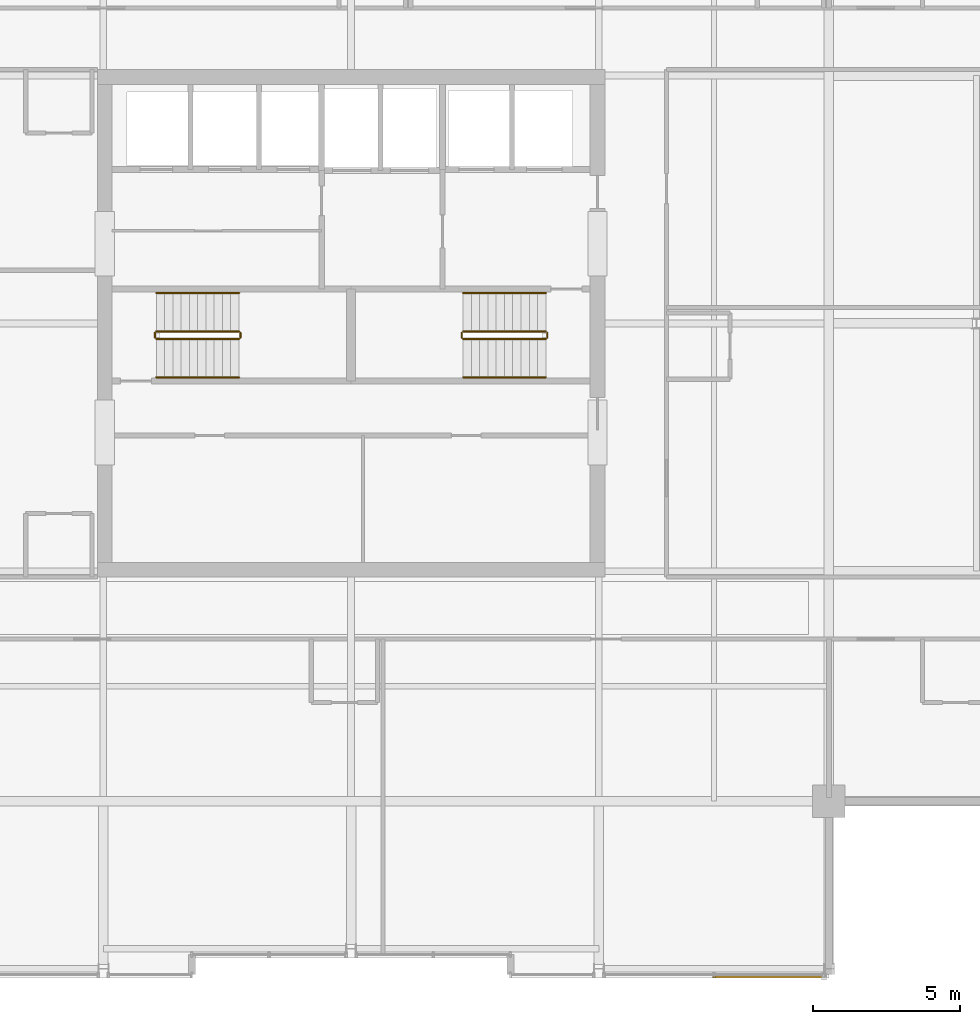
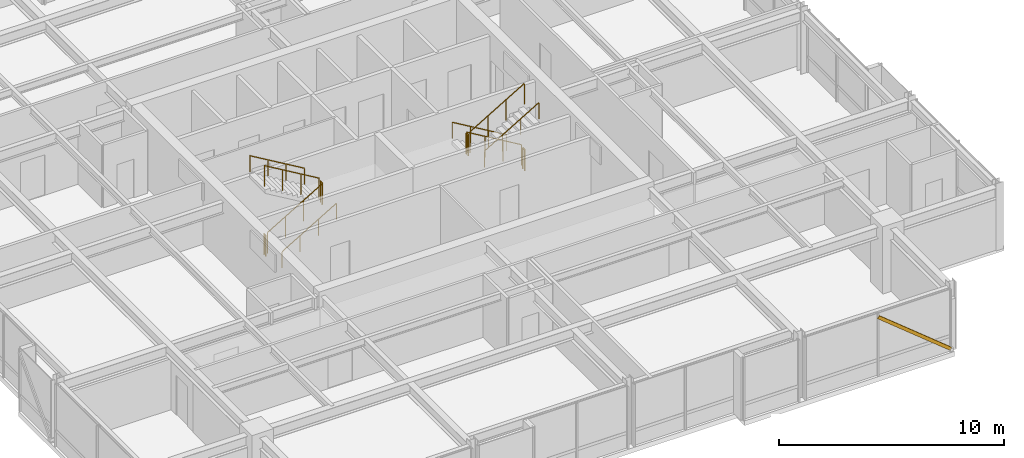
# One storey, part 32 of 33: 12 railings, 1 shading device.
"""IFC4 building model written with IfcOpenShell, lengths in metres."""

from ifc_helpers import new_model, si_unit, direction, frame, origin, origin_2d, place, context, subcontext, project, spatial, hollow_rectangle, circle, extrude, material, material_profile, profile_set, type_object, element, save


model = new_model("IFC4")

# Units and contexts
model_context = context("Model", 3, precision=1e-05, world=origin(), true_north=direction((0.0, 1.0)))
body_context = subcontext(model_context, "Body", "Model", "MODEL_VIEW")
ifc_project = project(units=[si_unit("LENGTHUNIT", "METRE"), si_unit("AREAUNIT", "SQUARE_METRE"), si_unit("VOLUMEUNIT", "CUBIC_METRE"), si_unit("PLANEANGLEUNIT", "RADIAN"), si_unit("MASSUNIT", "GRAM", prefix="KILO")], contexts=[model_context])

# Site, building, storey
site_placement = place(None, origin())
site = spatial("IfcSite", under=ifc_project, at=site_placement, CompositionType="ELEMENT")
building_placement = place(site_placement, origin())
building = spatial("IfcBuilding", under=site, at=building_placement, Name="Drelvath Grand Hotel", CompositionType="ELEMENT")
storey_placement = place(building_placement, frame((0.0, 0.0, 275.949951171875)))
storey = spatial("IfcBuildingStorey", under=building, at=storey_placement, Name="L72", CompositionType="ELEMENT", Elevation=275.949951171875)

# Railings
ifc_material_1 = material(Name="Painted Steel S275", Category="steel")
railing_type_1 = type_object("IfcRailingType", Name="Core Stair Wall Handrail 900", PredefinedType="HANDRAIL", material=ifc_material_1)
railing_1_placement = place(storey_placement, frame((-6.60009765625, 25.169921875, 0.166015625)))
element("IfcRailing", 1, at=railing_1_placement, inside=storey, type_object=railing_type_1, Name="L72 ST-1 stair handrail 1", PredefinedType="HANDRAIL", context=body_context, shape_type="SweptSolid", body=[
    extrude(circle(Radius=0.02392578125, at=origin_2d()), frame((0.0, 0.0, 0.8759765625), z_axis=(0.860339051648, 0.0, 0.50972219513), x_axis=(0.0, 1.0, 0.0)), (0.0, 0.0, 1.0), 3.254638671875),
    extrude(circle(Radius=0.02099609375, at=origin_2d()), origin(), (0.0, 0.0, 1.0), 0.851806640625),
    extrude(circle(Radius=0.02099609375, at=origin_2d()), frame((0.933349609375, 0.0, 0.552978515625)), (0.0, 0.0, 1.0), 0.851806640625),
    extrude(circle(Radius=0.02099609375, at=origin_2d()), frame((1.86669921875, 0.0, 1.10595703125)), (0.0, 0.0, 1.0), 0.851806640625),
    extrude(circle(Radius=0.02099609375, at=origin_2d()), frame((2.800048828125, 0.0, 1.658935546875)), (0.0, 0.0, 1.0), 0.851806640625),
])
railing_2_placement = place(storey_placement, frame((-3.800048828125, 28.030029296875, 1.990966796875)))
element("IfcRailing", 2, at=railing_2_placement, inside=storey, type_object=railing_type_1, Name="L72 ST-1 stair handrail 2", PredefinedType="HANDRAIL", context=body_context, shape_type="SweptSolid", body=[
    extrude(circle(Radius=0.02392578125, at=origin_2d()), frame((0.0, 0.0, 0.8759765625), z_axis=(-0.860306154799, 0.0, 0.50977771628), x_axis=(0.0, -1.0, 0.0)), (0.0, 0.0, 1.0), 3.254638671875),
    extrude(circle(Radius=0.02099609375, at=origin_2d()), origin(), (0.0, 0.0, 1.0), 0.851806640625),
    extrude(circle(Radius=0.02099609375, at=origin_2d()), frame((-0.933349609375, 0.0, 0.552978515625)), (0.0, 0.0, 1.0), 0.851806640625),
    extrude(circle(Radius=0.02099609375, at=origin_2d()), frame((-1.86669921875, 0.0, 1.106201171875)), (0.0, 0.0, 1.0), 0.851806640625),
    extrude(circle(Radius=0.02099609375, at=origin_2d()), frame((-2.800048828125, 0.0, 1.6591796875)), (0.0, 0.0, 1.0), 0.851806640625),
])
railing_3_placement = place(storey_placement, frame((6.60009765625, 28.030029296875, 0.166015625)))
element("IfcRailing", 3, at=railing_3_placement, inside=storey, type_object=railing_type_1, Name="L72 ST-2 stair handrail 1", PredefinedType="HANDRAIL", context=body_context, shape_type="SweptSolid", body=[
    extrude(circle(Radius=0.02392578125, at=origin_2d()), frame((0.0, 0.0, 0.8759765625), z_axis=(-0.860339051648, 0.0, 0.50972219513), x_axis=(0.0, -1.0, 0.0)), (0.0, 0.0, 1.0), 3.254638671875),
    extrude(circle(Radius=0.02099609375, at=origin_2d()), origin(), (0.0, 0.0, 1.0), 0.851806640625),
    extrude(circle(Radius=0.02099609375, at=origin_2d()), frame((-0.933349609375, 0.0, 0.552978515625)), (0.0, 0.0, 1.0), 0.851806640625),
    extrude(circle(Radius=0.02099609375, at=origin_2d()), frame((-1.86669921875, 0.0, 1.10595703125)), (0.0, 0.0, 1.0), 0.851806640625),
    extrude(circle(Radius=0.02099609375, at=origin_2d()), frame((-2.800048828125, 0.0, 1.658935546875)), (0.0, 0.0, 1.0), 0.851806640625),
])
railing_4_placement = place(storey_placement, frame((3.800048828125, 25.169921875, 1.990966796875)))
element("IfcRailing", 4, at=railing_4_placement, inside=storey, type_object=railing_type_1, Name="L72 ST-2 stair handrail 2", PredefinedType="HANDRAIL", context=body_context, shape_type="SweptSolid", body=[
    extrude(circle(Radius=0.02392578125, at=origin_2d()), frame((0.0, 0.0, 0.8759765625), z_axis=(0.860306154799, 0.0, 0.50977771628), x_axis=(0.0, 1.0, 0.0)), (0.0, 0.0, 1.0), 3.254638671875),
    extrude(circle(Radius=0.02099609375, at=origin_2d()), origin(), (0.0, 0.0, 1.0), 0.851806640625),
    extrude(circle(Radius=0.02099609375, at=origin_2d()), frame((0.933349609375, 0.0, 0.552978515625)), (0.0, 0.0, 1.0), 0.851806640625),
    extrude(circle(Radius=0.02099609375, at=origin_2d()), frame((1.86669921875, 0.0, 1.106201171875)), (0.0, 0.0, 1.0), 0.851806640625),
    extrude(circle(Radius=0.02099609375, at=origin_2d()), frame((2.800048828125, 0.0, 1.6591796875)), (0.0, 0.0, 1.0), 0.851806640625),
])
railing_type_2 = type_object("IfcRailingType", Name="Core Stair Well Guardrail 1100", PredefinedType="GUARDRAIL", material=ifc_material_1)
railing_5_placement = place(storey_placement, frame((-6.60009765625, 26.469970703125, 0.166015625)))
element("IfcRailing", 5, at=railing_5_placement, inside=storey, type_object=railing_type_2, Name="L72 ST-1 stair guard 1", PredefinedType="GUARDRAIL", context=body_context, shape_type="SweptSolid", body=[
    extrude(circle(Radius=0.02392578125, at=origin_2d()), frame((0.0, 0.0, 1.1259765625), z_axis=(0.860339051648, 0.0, 0.50972219513), x_axis=(0.0, 1.0, 0.0)), (0.0, 0.0, 1.0), 3.254638671875),
    extrude(circle(Radius=0.02099609375, at=origin_2d()), origin(), (0.0, 0.0, 1.0), 1.101806640625),
    extrude(circle(Radius=0.02099609375, at=origin_2d()), frame((0.933349609375, 0.0, 0.552978515625)), (0.0, 0.0, 1.0), 1.101806640625),
    extrude(circle(Radius=0.02099609375, at=origin_2d()), frame((1.86669921875, 0.0, 1.10595703125)), (0.0, 0.0, 1.0), 1.101806640625),
    extrude(circle(Radius=0.02099609375, at=origin_2d()), frame((2.800048828125, 0.0, 1.658935546875)), (0.0, 0.0, 1.0), 1.101806640625),
])
railing_6_placement = place(storey_placement, frame((-3.75, 26.52001953125, 1.824951171875)))
element("IfcRailing", 6, at=railing_6_placement, inside=storey, type_object=railing_type_2, Name="L72 ST-1 stair guard 2", PredefinedType="GUARDRAIL", context=body_context, shape_type="SweptSolid", body=[
    extrude(circle(Radius=0.02392578125, at=origin_2d()), frame((0.0, 0.0, 1.1259765625), z_axis=(0.0, 1.0, 0.0), x_axis=(-1.0, 0.0, 0.0)), (0.0, 0.0, 1.0), 0.159912109375),
    extrude(circle(Radius=0.02099609375, at=origin_2d()), origin(), (0.0, 0.0, 1.0), 1.101806640625),
    extrude(circle(Radius=0.02099609375, at=origin_2d()), frame((0.0, 0.159912109375, 0.0)), (0.0, 0.0, 1.0), 1.101806640625),
])
railing_7_placement = place(storey_placement, frame((-3.800048828125, 26.72998046875, 1.990966796875)))
element("IfcRailing", 7, at=railing_7_placement, inside=storey, type_object=railing_type_2, Name="L72 ST-1 stair guard 3", PredefinedType="GUARDRAIL", context=body_context, shape_type="SweptSolid", body=[
    extrude(circle(Radius=0.02392578125, at=origin_2d()), frame((0.0, 0.0, 1.1259765625), z_axis=(-0.860306154799, 0.0, 0.50977771628), x_axis=(0.0, -1.0, 0.0)), (0.0, 0.0, 1.0), 3.254638671875),
    extrude(circle(Radius=0.02099609375, at=origin_2d()), origin(), (0.0, 0.0, 1.0), 1.101806640625),
    extrude(circle(Radius=0.02099609375, at=origin_2d()), frame((-0.933349609375, 0.0, 0.552978515625)), (0.0, 0.0, 1.0), 1.101806640625),
    extrude(circle(Radius=0.02099609375, at=origin_2d()), frame((-1.86669921875, 0.0, 1.106201171875)), (0.0, 0.0, 1.0), 1.101806640625),
    extrude(circle(Radius=0.02099609375, at=origin_2d()), frame((-2.800048828125, 0.0, 1.6591796875)), (0.0, 0.0, 1.0), 1.101806640625),
])
railing_8_placement = place(storey_placement, frame((-6.64990234375, 26.52001953125, 0.0)))
element("IfcRailing", 8, at=railing_8_placement, inside=storey, type_object=railing_type_2, Name="L72 ST-1 stair guard 4", PredefinedType="GUARDRAIL", context=body_context, shape_type="SweptSolid", body=[
    extrude(circle(Radius=0.02392578125, at=origin_2d()), frame((0.0, 0.0, 1.1259765625), z_axis=(0.0, 1.0, 0.0), x_axis=(-1.0, 0.0, 0.0)), (0.0, 0.0, 1.0), 0.159912109375),
    extrude(circle(Radius=0.02099609375, at=origin_2d()), origin(), (0.0, 0.0, 1.0), 1.101806640625),
    extrude(circle(Radius=0.02099609375, at=origin_2d()), frame((0.0, 0.159912109375, 0.0)), (0.0, 0.0, 1.0), 1.101806640625),
])
railing_9_placement = place(storey_placement, frame((6.60009765625, 26.72998046875, 0.166015625)))
element("IfcRailing", 9, at=railing_9_placement, inside=storey, type_object=railing_type_2, Name="L72 ST-2 stair guard 1", PredefinedType="GUARDRAIL", context=body_context, shape_type="SweptSolid", body=[
    extrude(circle(Radius=0.02392578125, at=origin_2d()), frame((0.0, 0.0, 1.1259765625), z_axis=(-0.860339051648, 0.0, 0.50972219513), x_axis=(0.0, -1.0, 0.0)), (0.0, 0.0, 1.0), 3.254638671875),
    extrude(circle(Radius=0.02099609375, at=origin_2d()), origin(), (0.0, 0.0, 1.0), 1.101806640625),
    extrude(circle(Radius=0.02099609375, at=origin_2d()), frame((-0.933349609375, 0.0, 0.552978515625)), (0.0, 0.0, 1.0), 1.101806640625),
    extrude(circle(Radius=0.02099609375, at=origin_2d()), frame((-1.86669921875, 0.0, 1.10595703125)), (0.0, 0.0, 1.0), 1.101806640625),
    extrude(circle(Radius=0.02099609375, at=origin_2d()), frame((-2.800048828125, 0.0, 1.658935546875)), (0.0, 0.0, 1.0), 1.101806640625),
])
railing_10_placement = place(storey_placement, frame((3.75, 26.679931640625, 1.824951171875)))
element("IfcRailing", 10, at=railing_10_placement, inside=storey, type_object=railing_type_2, Name="L72 ST-2 stair guard 2", PredefinedType="GUARDRAIL", context=body_context, shape_type="SweptSolid", body=[
    extrude(circle(Radius=0.02392578125, at=origin_2d()), frame((0.0, 0.0, 1.1259765625), z_axis=(0.0, -1.0, 0.0), x_axis=(1.0, 0.0, 0.0)), (0.0, 0.0, 1.0), 0.159912109375),
    extrude(circle(Radius=0.02099609375, at=origin_2d()), origin(), (0.0, 0.0, 1.0), 1.101806640625),
    extrude(circle(Radius=0.02099609375, at=origin_2d()), frame((0.0, -0.159912109375, 0.0)), (0.0, 0.0, 1.0), 1.101806640625),
])
railing_11_placement = place(storey_placement, frame((3.800048828125, 26.469970703125, 1.990966796875)))
element("IfcRailing", 11, at=railing_11_placement, inside=storey, type_object=railing_type_2, Name="L72 ST-2 stair guard 3", PredefinedType="GUARDRAIL", context=body_context, shape_type="SweptSolid", body=[
    extrude(circle(Radius=0.02392578125, at=origin_2d()), frame((0.0, 0.0, 1.1259765625), z_axis=(0.860306154799, 0.0, 0.50977771628), x_axis=(0.0, 1.0, 0.0)), (0.0, 0.0, 1.0), 3.254638671875),
    extrude(circle(Radius=0.02099609375, at=origin_2d()), origin(), (0.0, 0.0, 1.0), 1.101806640625),
    extrude(circle(Radius=0.02099609375, at=origin_2d()), frame((0.933349609375, 0.0, 0.552978515625)), (0.0, 0.0, 1.0), 1.101806640625),
    extrude(circle(Radius=0.02099609375, at=origin_2d()), frame((1.86669921875, 0.0, 1.106201171875)), (0.0, 0.0, 1.0), 1.101806640625),
    extrude(circle(Radius=0.02099609375, at=origin_2d()), frame((2.800048828125, 0.0, 1.6591796875)), (0.0, 0.0, 1.0), 1.101806640625),
])
railing_12_placement = place(storey_placement, frame((6.64990234375, 26.679931640625, 0.0)))
element("IfcRailing", 12, at=railing_12_placement, inside=storey, type_object=railing_type_2, Name="L72 ST-2 stair guard 4", PredefinedType="GUARDRAIL", context=body_context, shape_type="SweptSolid", body=[
    extrude(circle(Radius=0.02392578125, at=origin_2d()), frame((0.0, 0.0, 1.1259765625), z_axis=(0.0, -1.0, 0.0), x_axis=(1.0, 0.0, 0.0)), (0.0, 0.0, 1.0), 0.159912109375),
    extrude(circle(Radius=0.02099609375, at=origin_2d()), origin(), (0.0, 0.0, 1.0), 1.101806640625),
    extrude(circle(Radius=0.02099609375, at=origin_2d()), frame((0.0, -0.159912109375, 0.0)), (0.0, 0.0, 1.0), 1.101806640625),
])

# Shading device
ifc_material_2 = material(Name="Platinum-Mist Anodised Aluminium", Category="aluminium")
ifc_material_profile = material_profile(ifc_material_2, hollow_rectangle(XDim=0.06494140625, YDim=0.159912109375, WallThickness=0.00390625, at=origin_2d()), Name="HSS160X65X4")
ifc_profile_set = profile_set([ifc_material_profile], Name="Platinum-Mist Anodised Aluminium")
shading_device_type = type_object("IfcShadingDeviceType", Name="Diagonal Solar Fin Platinum Anodised HSS160X65X4", PredefinedType="USERDEFINED", material=ifc_profile_set)
shading_device_placement = place(storey_placement, frame((16.02978515625, 4.840087890625, 0.179931640625), z_axis=(-0.776152849769, 0.0, 0.630544807127), x_axis=(0.0, -1.0, 0.0)))
element("IfcShadingDevice", 13, at=shading_device_placement, inside=storey, type_object=shading_device_type, Name="L72 Diagonal Anodised Fin CW05-L72-SE2", ObjectType="FIN", PredefinedType="USERDEFINED", context=body_context, shape_type="SweptSolid", body=[
    extrude(hollow_rectangle(XDim=0.06494140625, YDim=0.159912109375, WallThickness=0.00390625, at=origin_2d()), origin(), (0.0, 0.0, 1.0), 4.805419921875),
])

save(model, "model.ifc")
